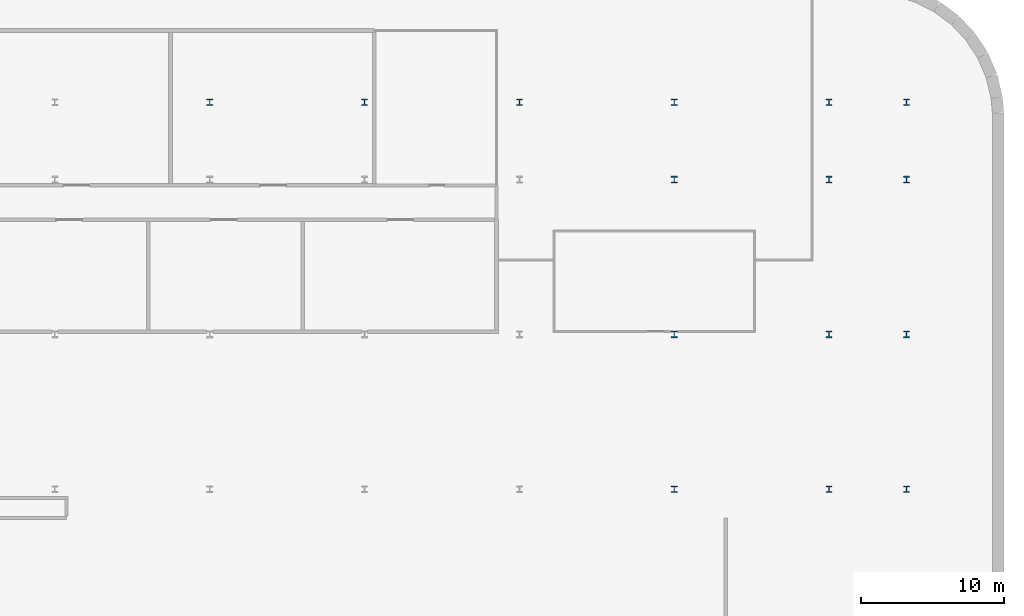
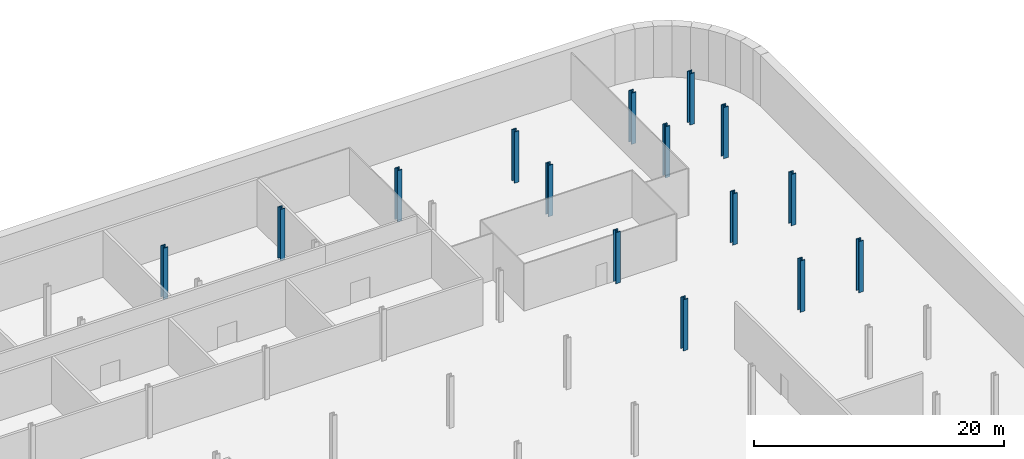
# One storey, part 4 of 19: 15 columns.
"""IFC4 building model written with IfcOpenShell, lengths in metres."""

import ifcopenshell
import ifcopenshell.guid

model = None  # the IFC model being written
_history = None  # IfcOwnerHistory: only IFC2X3 demands one
_inside = {}  # id of a spatial element -> (the spatial element, [elements in it])
_under = {}  # id of a project, library or spatial element -> (it, [spatial elements below it])
_declared = {}  # id of a project -> (the project, [libraries it declares])
_typed = {}  # id of a type object -> (the type object, [elements of that type])
_made_of = {}  # id of a material, layer set ... -> (it, [elements and type objects made of it])


def new_model(schema):
    """Start an empty IFC model of exactly this schema.

    Asked for "IFC4X3", IfcOpenShell would pick the latest addendum, in which some entities
    have other attributes; the version numbers below select the first issue.
    IFC2X3 requires an IfcOwnerHistory on every rooted entity: one is made here for all.
    """
    global model, _history
    if schema == "IFC4X3":
        model = ifcopenshell.file(schema_version=(4, 3, 0, 0))
    else:
        model = ifcopenshell.file(schema=schema)
    _inside.clear()
    _under.clear()
    _declared.clear()
    _typed.clear()
    _made_of.clear()
    _history = None
    if model.schema == "IFC2X3":
        org = make("IfcOrganization", Name="unknown")
        user = make(
            "IfcPersonAndOrganization",
            ThePerson=make("IfcPerson", FamilyName="unknown"),
            TheOrganization=org,
        )
        app = make(
            "IfcApplication",
            ApplicationDeveloper=org,
            Version="unknown",
            ApplicationFullName="unknown",
            ApplicationIdentifier="unknown",
        )
        _history = make(
            "IfcOwnerHistory",
            OwningUser=user,
            OwningApplication=app,
            ChangeAction="ADDED",
            CreationDate=0,
        )
    return model


def make(cls, **values):
    """One entity of the class cls with the attributes given. An attribute that is None is left unset."""
    return model.create_entity(
        cls, **{name: value for name, value in values.items() if value is not None}
    )


def rooted(cls, **values):
    """An entity with a GlobalId (a new one), such as an element, a storey or a relation."""
    return make(cls, GlobalId=ifcopenshell.guid.new(), OwnerHistory=_history, **values)


def si_unit(unit_type, name, prefix=None):
    """IfcSIUnit, for example si_unit("LENGTHUNIT", "METRE", prefix="MILLI")."""
    return make("IfcSIUnit", UnitType=unit_type, Prefix=prefix, Name=name)


def assignment(units):
    """IfcUnitAssignment: the units of a project."""
    return None if units is None else make("IfcUnitAssignment", Units=units)


def point(xyz):
    """IfcCartesianPoint."""
    return None if xyz is None else make("IfcCartesianPoint", Coordinates=xyz)


def direction(xyz):
    """IfcDirection."""
    return None if xyz is None else make("IfcDirection", DirectionRatios=xyz)


def frame(location, z_axis=None, x_axis=None):
    """IfcAxis2Placement3D, a coordinate frame: its origin and axes. An axis left out is left unset."""
    return make(
        "IfcAxis2Placement3D",
        Location=point(location),
        Axis=direction(z_axis),
        RefDirection=direction(x_axis),
    )


def frame_2d(location, x_axis=None):
    """IfcAxis2Placement2D, a coordinate frame in the plane: its origin and x axis."""
    return make(
        "IfcAxis2Placement2D", Location=point(location), RefDirection=direction(x_axis)
    )


def origin():
    """The frame at (0, 0, 0) with its axes left unset."""
    return frame((0.0, 0.0, 0.0))


def origin_2d():
    """The frame at (0, 0) in the plane with its x axis left unset."""
    return frame_2d((0.0, 0.0))


def place(relative_to, where):
    """IfcLocalPlacement: puts the frame where relative to a parent placement (None: the world)."""
    return make(
        "IfcLocalPlacement", PlacementRelTo=relative_to, RelativePlacement=where
    )


def context(
    kind, dimensions, precision=None, world=None, true_north=None, identifier=None
):
    """IfcGeometricRepresentationContext, for example the 3D "Model" context."""
    return make(
        "IfcGeometricRepresentationContext",
        ContextIdentifier=identifier,
        ContextType=kind,
        CoordinateSpaceDimension=dimensions,
        Precision=precision,
        WorldCoordinateSystem=world,
        TrueNorth=true_north,
    )


def subcontext(parent, identifier, kind, view, scale=None):
    """IfcGeometricRepresentationSubContext, for example "Body" below "Model"."""
    return make(
        "IfcGeometricRepresentationSubContext",
        ContextIdentifier=identifier,
        ContextType=kind,
        ParentContext=parent,
        TargetScale=scale,
        TargetView=view,
    )


def project(units=None, contexts=None):
    """IfcProject with its units and contexts."""
    return rooted(
        "IfcProject",
        Name="project",
        RepresentationContexts=contexts,
        UnitsInContext=assignment(units),
    )


def spatial(cls, under=None, at=None, **own):
    """A site, building, storey or space (cls), placed at a placement, below another one or the project."""
    s = rooted(cls, ObjectPlacement=at, **own)
    if under is not None:
        _under.setdefault(under.id(), (under, []))[1].append(s)
    return s


def profile(cls, at=None, kind="AREA", **sizes):
    """A parametric profile (cls). Its sizes go by their IFC names, for example OverallWidth=200.0."""
    return make(cls, ProfileType=kind, Position=at, **sizes)


def i_section(**sizes):
    """IfcIShapeProfileDef."""
    return profile("IfcIShapeProfileDef", **sizes)


def extrude(swept, where, along, depth):
    """IfcExtrudedAreaSolid: the profile swept, set in the frame where, extruded along a direction by depth."""
    return make(
        "IfcExtrudedAreaSolid",
        SweptArea=swept,
        Position=where,
        ExtrudedDirection=direction(along),
        Depth=depth,
    )


def shape(context_of_items, identifier, shape_type, items):
    """IfcShapeRepresentation: the items that make up one representation, for example the "Body"."""
    return make(
        "IfcShapeRepresentation",
        ContextOfItems=context_of_items,
        RepresentationIdentifier=identifier,
        RepresentationType=shape_type,
        Items=items,
    )


def material(Name=None, Category=None):
    """IfcMaterial."""
    return make("IfcMaterial", Name=Name, Category=Category)


def material_profile(
    of_material, cross_section, Name=None, Category=None, Priority=None
):
    """IfcMaterialProfile: a cross section and its material."""
    return make(
        "IfcMaterialProfile",
        Name=Name,
        Material=of_material,
        Profile=cross_section,
        Priority=Priority,
        Category=Category,
    )


def profile_set(profiles, Name=None, composite=None):
    """IfcMaterialProfileSet."""
    return make(
        "IfcMaterialProfileSet",
        Name=Name,
        MaterialProfiles=profiles,
        CompositeProfile=composite,
    )


def made_of(thing, what):
    """Note that an element or type object is made of a material, layer set ...; save() writes the relation."""
    if what is not None:
        _made_of.setdefault(what.id(), (what, []))[1].append(thing)
    return thing


def type_object(cls, material=None, **own):
    """A type object (cls), such as IfcWallType, which elements share."""
    return made_of(rooted(cls, **own), material)


def element(
    cls,
    number,
    at=None,
    inside=None,
    cuts=None,
    type_object=None,
    material=None,
    context=None,
    identifier="Body",
    shape_type=None,
    held_by="IfcProductDefinitionShape",
    body=None,
    shapes=None,
    **own,
):
    """One element of the class cls, such as IfcWall. Its Tag is "e" and its number.

    at: its placement. inside: the storey or other place that contains it. cuts: it is an
    opening in that element (IfcRelVoidsElement). A single representation is given by context,
    identifier, shape_type and body (its items); several are given by shapes. held_by: the class
    of the entity that holds the representations. save() writes the other relations.
    """
    e = rooted(cls, Tag="e%d" % number, ObjectPlacement=at, **own)
    if body is not None:
        shapes = [shape(context, identifier, shape_type, body)]
    if shapes is not None:
        e.Representation = make(held_by, Representations=shapes)
    if inside is not None:
        _inside.setdefault(inside.id(), (inside, []))[1].append(e)
    if cuts is not None:
        rooted(
            "IfcRelVoidsElement", RelatingBuildingElement=cuts, RelatedOpeningElement=e
        )
    if type_object is not None:
        _typed.setdefault(type_object.id(), (type_object, []))[1].append(e)
    return made_of(e, material)


def aggregate(whole, parts):
    """IfcRelAggregates: a whole, such as a stair, and the parts it consists of."""
    return rooted("IfcRelAggregates", RelatingObject=whole, RelatedObjects=parts)


def save(model, path):
    """Write the relations noted so far, then the file.

    IfcRelAggregates (storeys below a building ...), IfcRelContainedInSpatialStructure (elements
    in a storey), IfcRelDefinesByType, IfcRelAssociatesMaterial and IfcRelDeclares: one each for
    every whole, place, type object, material and project.
    """
    for whole, parts in _under.values():
        aggregate(whole, parts)
    for where, things in _inside.values():
        rooted(
            "IfcRelContainedInSpatialStructure",
            RelatedElements=things,
            RelatingStructure=where,
        )
    for kind, things in _typed.values():
        rooted("IfcRelDefinesByType", RelatedObjects=things, RelatingType=kind)
    for what, things in _made_of.values():
        rooted("IfcRelAssociatesMaterial", RelatedObjects=things, RelatingMaterial=what)
    for by, libraries in _declared.values():
        rooted("IfcRelDeclares", RelatingContext=by, RelatedDefinitions=libraries)
    model.write(path)


model = new_model("IFC4")

# Units and contexts
model_context = context("Model", 3, precision=1e-05, world=origin(), true_north=direction((0.0, 1.0)))
body_context = subcontext(model_context, "Body", "Model", "MODEL_VIEW")
ifc_project = project(units=[si_unit("LENGTHUNIT", "METRE"), si_unit("AREAUNIT", "SQUARE_METRE"), si_unit("VOLUMEUNIT", "CUBIC_METRE"), si_unit("PLANEANGLEUNIT", "RADIAN"), si_unit("MASSUNIT", "GRAM", prefix="KILO")], contexts=[model_context])

# Site, building, storey
site_placement = place(None, origin())
site = spatial("IfcSite", under=ifc_project, at=site_placement, CompositionType="ELEMENT")
building_placement = place(site_placement, origin())
building = spatial("IfcBuilding", under=site, at=building_placement, Name="Kheshtan School and Residences Tower", CompositionType="ELEMENT")
storey_placement = place(building_placement, frame((0.0, 0.0, -10.0)))
storey = spatial("IfcBuildingStorey", under=building, at=storey_placement, Name="B2", CompositionType="ELEMENT", Elevation=-10.0)

# Columns
ifc_material = material(Name="Steel ASTM A992 Grade 50", Category="steel")
ifc_material_profile = material_profile(ifc_material, i_section(OverallWidth=0.424072265625, OverallDepth=0.47412109375, WebThickness=0.047607421875, FlangeThickness=0.0771484375, FilletRadius=0.01416015625, at=origin_2d()), Name="W360x634")
ifc_profile_set = profile_set([ifc_material_profile], Name="Steel ASTM A992 Grade 50")
column_type = type_object("IfcColumnType", Name="Column PC1 W360x634 ASTM A992 Grade 50", PredefinedType="COLUMN", material=ifc_profile_set)
for number, where, z_axis, x_axis, name in (
    (1, (112.39990234375, 78.0, 0.0), (0.0, 0.0, 1.0), (1.0, 0.0, 0.0), "Column P-082"),
    (2, (123.199951171875, 78.0, 0.0), (0.0, 0.0, 1.0), (1.0, 0.0, 0.0), "Column P-083"),
    (3, (128.60009765625, 78.0, 0.0), (0.0, 0.0, 1.0), (1.0, 0.0, 0.0), "Column P-084"),
    (4, (112.39990234375, 88.800048828125, 0.0), (0.0, 0.0, 1.0), (1.0, 0.0, 0.0), "Column P-094"),
    (5, (123.199951171875, 88.800048828125, 0.0), (0.0, 0.0, 1.0), (1.0, 0.0, 0.0), "Column P-095"),
    (6, (128.60009765625, 88.800048828125, 0.0), (0.0, 0.0, 1.0), (1.0, 0.0, 0.0), "Column P-096"),
    (7, (112.39990234375, 99.60009765625, 0.0), (0.0, 0.0, 1.0), (1.0, 0.0, 0.0), "Column P-106"),
    (8, (123.199951171875, 99.60009765625, 0.0), (0.0, 0.0, 1.0), (1.0, 0.0, 0.0), "Column P-107"),
    (9, (128.60009765625, 99.60009765625, 0.0), (0.0, 0.0, 1.0), (1.0, 0.0, 0.0), "Column P-108"),
    (10, (80.0, 105.0, 0.0), (0.0, 0.0, 1.0), (1.0, 0.0, 0.0), "Column P-115"),
    (11, (90.800048828125, 105.0, 0.0), (0.0, 0.0, 1.0), (1.0, 0.0, 0.0), "Column P-116"),
    (12, (101.60009765625, 105.0, 0.0), (0.0, 0.0, 1.0), (1.0, 0.0, 0.0), "Column P-117"),
    (13, (112.39990234375, 105.0, 0.0), (0.0, 0.0, 1.0), (1.0, 0.0, 0.0), "Column P-118"),
    (14, (123.199951171875, 105.0, 0.0), (0.0, 0.0, 1.0), (1.0, 0.0, 0.0), "Column P-119"),
    (15, (128.60009765625, 105.0, 0.0), (0.0, 0.0, 1.0), (1.0, 0.0, 0.0), "Column P-120"),
):
    element("IfcColumn", number, at=place(storey_placement, frame(where, z_axis=z_axis, x_axis=x_axis)), inside=storey, type_object=column_type, Name=name, PredefinedType="COLUMN", context=body_context, shape_type="SweptSolid", body=[
        extrude(i_section(OverallWidth=0.424072265625, OverallDepth=0.47412109375, WebThickness=0.047607421875, FlangeThickness=0.0771484375, FilletRadius=0.01416015625, at=origin_2d()), origin(), (0.0, 0.0, 1.0), 5.0),
    ])

save(model, "model.ifc")
